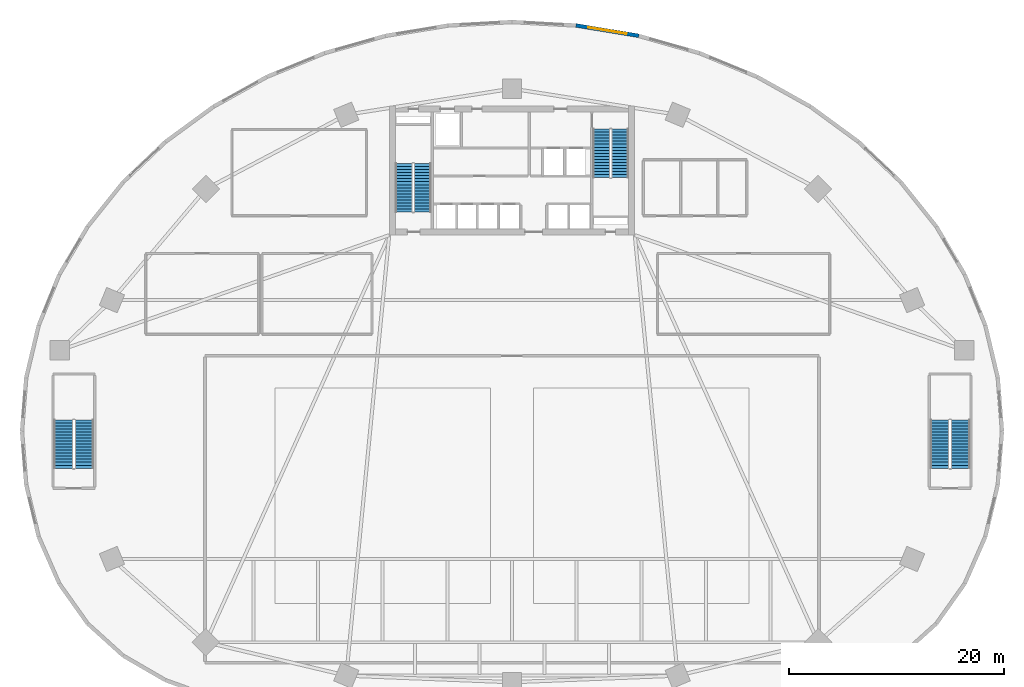
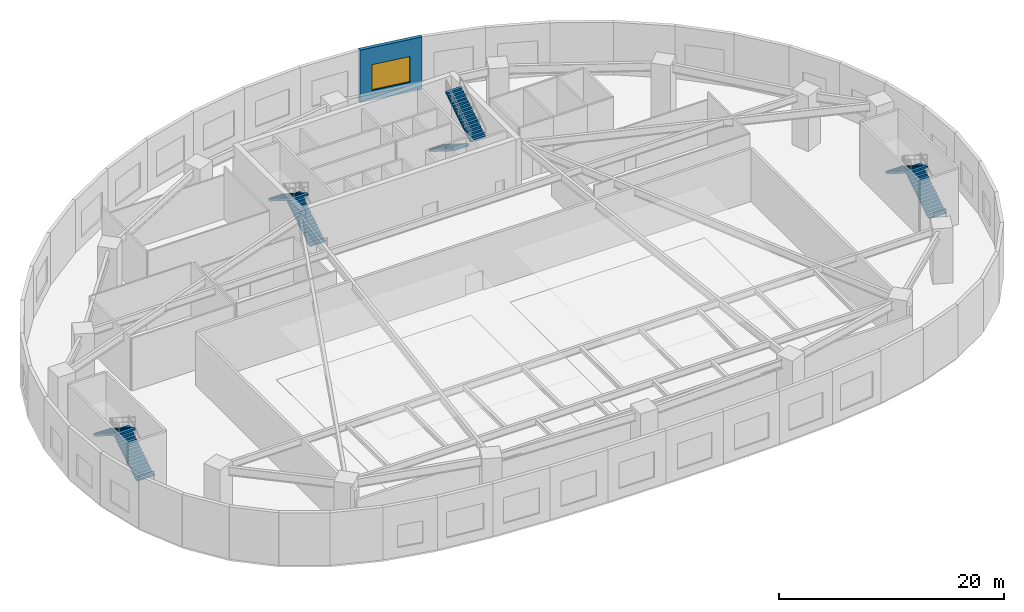
# One storey, part 6 of 10: 8 stair flights, 1 wall, 1 window, 1 opening, 4 elements without a shape of their own.
"""IFC4 building model written with IfcOpenShell, lengths in metres."""

from ifc_helpers import new_model, si_unit, direction, frame, frame_2d, origin, place, context, subcontext, project, spatial, polyline, rectangle, outline, extrude, source, transform, mapped, material, layer, layer_set, type_object, type_shapes, element, fill, aggregate, save


model = new_model("IFC4")

# Units and contexts
model_context = context("Model", 3, precision=1e-05, world=origin(), true_north=direction((0.0, 1.0)))
body_context = subcontext(model_context, "Body", "Model", "MODEL_VIEW")
ifc_project = project(units=[si_unit("LENGTHUNIT", "METRE"), si_unit("AREAUNIT", "SQUARE_METRE"), si_unit("VOLUMEUNIT", "CUBIC_METRE"), si_unit("PLANEANGLEUNIT", "RADIAN"), si_unit("MASSUNIT", "GRAM", prefix="KILO")], contexts=[model_context])

# Site, building, storey
site_placement = place(None, origin())
site = spatial("IfcSite", under=ifc_project, at=site_placement, CompositionType="ELEMENT")
building_placement = place(site_placement, origin())
building = spatial("IfcBuilding", under=site, at=building_placement, Name="Breltana Convention Tower", CompositionType="ELEMENT")
storey_placement = place(building_placement, frame((0.0, 0.0, 12.0)))
storey = spatial("IfcBuildingStorey", under=building, at=storey_placement, Name="L02", CompositionType="ELEMENT", Elevation=12.0)

# Wall, opening, window
ifc_material_1 = material(Name="Limestone Buff Insulated Wall", Category="masonry")
ifc_layer = layer(ifc_material_1, 0.35009765625, Name="Limestone Buff Insulated Wall")
ifc_layer_set = layer_set([ifc_layer], Name="Limestone Buff Insulated Wall")
wall_type = type_object("IfcWallType", Name="WL-EXT-POD-350", PredefinedType="SOLIDWALL", material=ifc_layer_set)
shared_shape_1 = source(origin(), body_context, "Body", "SweptSolid", [
    extrude(rectangle(XDim=5.91748046875, YDim=0.35009765625, at=frame_2d((2.958740234375, 0.0))), origin(), (0.0, 0.0, 1.0), 5.699951171875),
])
wall_placement = place(storey_placement, frame((59.7763671875, 78.705078125, 0.0), z_axis=(0.0, 0.0, 1.0), x_axis=(-0.986480762285, 0.163877105303, 0.0)))
wall = element("IfcWall", 1, at=wall_placement, inside=storey, type_object=wall_type, Name="L02 limestone facade wall 11", PredefinedType="SOLIDWALL", context=body_context, shape_type="MappedRepresentation", body=[
    mapped(shared_shape_1, transform((0.0, 0.0, 0.0), scale=1.0)),
])
opening_placement = place(wall_placement, frame((1.15869140625, 0.0, 1.050048828125)))
opening = element("IfcOpeningElement", 2, at=opening_placement, cuts=wall, Name="Opening W-01", PredefinedType="OPENING", context=body_context, shape_type="SweptSolid", body=[
    extrude(rectangle(XDim=3.60009765625, YDim=2.800048828125, at=frame_2d((1.800048828125, 1.39990234375))), frame((0.0, 0.18505859375, 0.0), z_axis=(0.0, -1.0, 0.0), x_axis=(1.0, 0.0, 0.0)), (0.0, 0.0, 1.0), 0.3701171875),
])
ifc_material_2 = material(Name="Glass Low-E Insulated Window", Category="glass")
window_type = type_object("IfcWindowType", Name="WN-POD-3600X2800", PartitioningType="TRIPLE_PANEL_VERTICAL", PredefinedType="WINDOW", material=ifc_material_2)
shared_shape_2 = source(origin(), body_context, "Body", "SweptSolid", [
    extrude(rectangle(XDim=3.60009765625, YDim=2.800048828125, at=frame_2d((1.800048828125, 1.39990234375))), frame((0.0, 0.030029296875, 0.0), z_axis=(0.0, -1.0, 0.0), x_axis=(1.0, 0.0, 0.0)), (0.0, 0.0, 1.0), 0.06005859375),
])
type_shapes(window_type, [shared_shape_2])
window_placement = place(opening_placement, origin())
window = element("IfcWindow", 3, at=window_placement, inside=storey, type_object=window_type, Name="L02 tripartite window 11.1", OverallHeight=2.800048828125, OverallWidth=3.60009765625, PartitioningType="TRIPLE_PANEL_VERTICAL", PredefinedType="WINDOW", context=body_context, shape_type="MappedRepresentation", body=[
    mapped(shared_shape_2, transform((0.0, 0.0, 0.0), scale=1.0)),
])
fill(opening, window)

# Stair, stair flights
ifc_material_3 = material(Name="Concrete C40/50", Category="concrete")
stair_type_1 = type_object("IfcStairType", Name="ST-DOG-1560-R176", PredefinedType="HALF_TURN_STAIR", material=ifc_material_3)
stair_1_placement = place(storey_placement, origin())
stair_1 = element("IfcStair", 4, at=stair_1_placement, inside=storey, type_object=stair_type_1, Name="L02 Protected Core Exit Stair ST-1", PredefinedType="HALF_TURN_STAIR")
stair_flight_type_1 = type_object("IfcStairFlightType", Name="STF-DOG-1560-N17-R176", PredefinedType="STRAIGHT", material=ifc_material_3)
stair_flight_1_placement = place(storey_placement, frame((39.68994140625, 62.360107421875, 0.0), z_axis=(0.0, 0.0, 1.0), x_axis=(0.0, 1.0, 0.0)))
stair_flight_1 = element("IfcStairFlight", 5, at=stair_flight_1_placement, type_object=stair_flight_type_1, Name="ST-1 flight 1", NumberOfRisers=17, NumberOfTreads=16, PredefinedType="STRAIGHT", RiserHeight=0.176470588, TreadLength=0.28, context=body_context, shape_type="SweptSolid", body=[
    extrude(outline(polyline([(0.0, 0.0), (0.0, 0.176513671875), (0.280029296875, 0.176513671875), (0.280029296875, 0.35302734375), (0.56005859375, 0.35302734375), (0.56005859375, 0.529296875), (0.840087890625, 0.529296875), (0.840087890625, 0.705810546875), (1.1201171875, 0.705810546875), (1.1201171875, 0.88232421875), (1.39990234375, 0.88232421875), (1.39990234375, 1.058837890625), (1.679931640625, 1.058837890625), (1.679931640625, 1.2353515625), (1.9599609375, 1.2353515625), (1.9599609375, 1.411865234375), (2.239990234375, 1.411865234375), (2.239990234375, 1.588134765625), (2.52001953125, 1.588134765625), (2.52001953125, 1.7646484375), (2.800048828125, 1.7646484375), (2.800048828125, 1.941162109375), (3.080078125, 1.941162109375), (3.080078125, 2.11767578125), (3.360107421875, 2.11767578125), (3.360107421875, 2.294189453125), (3.639892578125, 2.294189453125), (3.639892578125, 2.470703125), (3.919921875, 2.470703125), (3.919921875, 2.64697265625), (4.199951171875, 2.64697265625), (4.199951171875, 2.823486328125), (4.47998046875, 2.823486328125), (4.47998046875, 3.0), (4.47998046875, 2.646240234375), (0.28125, 0.0), (0.0, 0.0)])), frame((0.0, 0.780029296875, 0.0), z_axis=(0.0, -1.0, 0.0), x_axis=(1.0, 0.0, 0.0)), (0.0, 0.0, 1.0), 1.56005859375),
])
stair_flight_2_placement = place(storey_placement, frame((37.97998046875, 66.840087890625, 3.0), z_axis=(0.0, 0.0, 1.0), x_axis=(0.0, -1.0, 0.0)))
stair_flight_2 = element("IfcStairFlight", 6, at=stair_flight_2_placement, type_object=stair_flight_type_1, Name="ST-1 flight 2", NumberOfRisers=17, NumberOfTreads=16, PredefinedType="STRAIGHT", RiserHeight=0.176470588, TreadLength=0.28, context=body_context, shape_type="SweptSolid", body=[
    extrude(outline(polyline([(0.0, 0.0), (0.0, 0.176513671875), (0.280029296875, 0.176513671875), (0.280029296875, 0.35302734375), (0.56005859375, 0.35302734375), (0.56005859375, 0.529296875), (0.840087890625, 0.529296875), (0.840087890625, 0.705810546875), (1.1201171875, 0.705810546875), (1.1201171875, 0.88232421875), (1.39990234375, 0.88232421875), (1.39990234375, 1.058837890625), (1.679931640625, 1.058837890625), (1.679931640625, 1.2353515625), (1.9599609375, 1.2353515625), (1.9599609375, 1.411865234375), (2.239990234375, 1.411865234375), (2.239990234375, 1.588134765625), (2.52001953125, 1.588134765625), (2.52001953125, 1.7646484375), (2.800048828125, 1.7646484375), (2.800048828125, 1.941162109375), (3.080078125, 1.941162109375), (3.080078125, 2.11767578125), (3.360107421875, 2.11767578125), (3.360107421875, 2.294189453125), (3.639892578125, 2.294189453125), (3.639892578125, 2.470703125), (3.919921875, 2.470703125), (3.919921875, 2.64697265625), (4.199951171875, 2.64697265625), (4.199951171875, 2.823486328125), (4.47998046875, 2.823486328125), (4.47998046875, 3.0), (4.47998046875, 2.646240234375), (0.28125, 0.0), (0.0, 0.0)])), frame((0.0, 0.780029296875, 0.0), z_axis=(0.0, -1.0, 0.0), x_axis=(1.0, 0.0, 0.0)), (0.0, 0.0, 1.0), 1.56005859375),
])
aggregate(stair_1, [stair_flight_1, stair_flight_2])

stair_2_placement = place(storey_placement, origin())
stair_2 = element("IfcStair", 7, at=stair_2_placement, inside=storey, type_object=stair_type_1, Name="L02 Protected Core Exit Stair ST-2", PredefinedType="HALF_TURN_STAIR")
stair_flight_3_placement = place(storey_placement, frame((56.31005859375, 70.0400390625, 0.0), z_axis=(0.0, 0.0, 1.0), x_axis=(0.0, -1.0, 0.0)))
stair_flight_3 = element("IfcStairFlight", 8, at=stair_flight_3_placement, type_object=stair_flight_type_1, Name="ST-2 flight 1", NumberOfRisers=17, NumberOfTreads=16, PredefinedType="STRAIGHT", RiserHeight=0.176470588, TreadLength=0.28, context=body_context, shape_type="SweptSolid", body=[
    extrude(outline(polyline([(0.0, 0.0), (0.0, 0.176513671875), (0.280029296875, 0.176513671875), (0.280029296875, 0.35302734375), (0.56005859375, 0.35302734375), (0.56005859375, 0.529296875), (0.840087890625, 0.529296875), (0.840087890625, 0.705810546875), (1.1201171875, 0.705810546875), (1.1201171875, 0.88232421875), (1.39990234375, 0.88232421875), (1.39990234375, 1.058837890625), (1.679931640625, 1.058837890625), (1.679931640625, 1.2353515625), (1.9599609375, 1.2353515625), (1.9599609375, 1.411865234375), (2.239990234375, 1.411865234375), (2.239990234375, 1.588134765625), (2.52001953125, 1.588134765625), (2.52001953125, 1.7646484375), (2.800048828125, 1.7646484375), (2.800048828125, 1.941162109375), (3.080078125, 1.941162109375), (3.080078125, 2.11767578125), (3.360107421875, 2.11767578125), (3.360107421875, 2.294189453125), (3.639892578125, 2.294189453125), (3.639892578125, 2.470703125), (3.919921875, 2.470703125), (3.919921875, 2.64697265625), (4.199951171875, 2.64697265625), (4.199951171875, 2.823486328125), (4.47998046875, 2.823486328125), (4.47998046875, 3.0), (4.47998046875, 2.646240234375), (0.28125, 0.0), (0.0, 0.0)])), frame((0.0, 0.780029296875, 0.0), z_axis=(0.0, -1.0, 0.0), x_axis=(1.0, 0.0, 0.0)), (0.0, 0.0, 1.0), 1.56005859375),
])
stair_flight_4_placement = place(storey_placement, frame((58.02001953125, 65.56005859375, 3.0), z_axis=(0.0, 0.0, 1.0), x_axis=(0.0, 1.0, 0.0)))
stair_flight_4 = element("IfcStairFlight", 9, at=stair_flight_4_placement, type_object=stair_flight_type_1, Name="ST-2 flight 2", NumberOfRisers=17, NumberOfTreads=16, PredefinedType="STRAIGHT", RiserHeight=0.176470588, TreadLength=0.28, context=body_context, shape_type="SweptSolid", body=[
    extrude(outline(polyline([(0.0, 0.0), (0.0, 0.176513671875), (0.280029296875, 0.176513671875), (0.280029296875, 0.35302734375), (0.56005859375, 0.35302734375), (0.56005859375, 0.529296875), (0.840087890625, 0.529296875), (0.840087890625, 0.705810546875), (1.1201171875, 0.705810546875), (1.1201171875, 0.88232421875), (1.39990234375, 0.88232421875), (1.39990234375, 1.058837890625), (1.679931640625, 1.058837890625), (1.679931640625, 1.2353515625), (1.9599609375, 1.2353515625), (1.9599609375, 1.411865234375), (2.239990234375, 1.411865234375), (2.239990234375, 1.588134765625), (2.52001953125, 1.588134765625), (2.52001953125, 1.7646484375), (2.800048828125, 1.7646484375), (2.800048828125, 1.941162109375), (3.080078125, 1.941162109375), (3.080078125, 2.11767578125), (3.360107421875, 2.11767578125), (3.360107421875, 2.294189453125), (3.639892578125, 2.294189453125), (3.639892578125, 2.470703125), (3.919921875, 2.470703125), (3.919921875, 2.64697265625), (4.199951171875, 2.64697265625), (4.199951171875, 2.823486328125), (4.47998046875, 2.823486328125), (4.47998046875, 3.0), (4.47998046875, 2.646240234375), (0.28125, 0.0), (0.0, 0.0)])), frame((0.0, 0.780029296875, 0.0), z_axis=(0.0, -1.0, 0.0), x_axis=(1.0, 0.0, 0.0)), (0.0, 0.0, 1.0), 1.56005859375),
])
aggregate(stair_2, [stair_flight_3, stair_flight_4])

stair_type_2 = type_object("IfcStairType", Name="ST-DOG-1760-R176", PredefinedType="HALF_TURN_STAIR", material=ifc_material_3)
stair_3_placement = place(storey_placement, origin())
stair_3 = element("IfcStair", 10, at=stair_3_placement, inside=storey, type_object=stair_type_2, Name="L02 Protected Podium Exit Stair ST-3", PredefinedType="HALF_TURN_STAIR")
stair_flight_type_2 = type_object("IfcStairFlightType", Name="STF-DOG-1760-N17-R176", PredefinedType="STRAIGHT", material=ifc_material_3)
stair_flight_5_placement = place(storey_placement, frame((8.2900390625, 38.56005859375, 0.0), z_axis=(0.0, 0.0, 1.0), x_axis=(0.0, 1.0, 0.0)))
stair_flight_5 = element("IfcStairFlight", 11, at=stair_flight_5_placement, type_object=stair_flight_type_2, Name="ST-3 flight 1", NumberOfRisers=17, NumberOfTreads=16, PredefinedType="STRAIGHT", RiserHeight=0.176470588, TreadLength=0.28, context=body_context, shape_type="SweptSolid", body=[
    extrude(outline(polyline([(0.0, 0.0), (0.0, 0.176513671875), (0.280029296875, 0.176513671875), (0.280029296875, 0.35302734375), (0.56005859375, 0.35302734375), (0.56005859375, 0.529296875), (0.840087890625, 0.529296875), (0.840087890625, 0.705810546875), (1.1201171875, 0.705810546875), (1.1201171875, 0.88232421875), (1.39990234375, 0.88232421875), (1.39990234375, 1.058837890625), (1.679931640625, 1.058837890625), (1.679931640625, 1.2353515625), (1.9599609375, 1.2353515625), (1.9599609375, 1.411865234375), (2.239990234375, 1.411865234375), (2.239990234375, 1.588134765625), (2.52001953125, 1.588134765625), (2.52001953125, 1.7646484375), (2.800048828125, 1.7646484375), (2.800048828125, 1.941162109375), (3.080078125, 1.941162109375), (3.080078125, 2.11767578125), (3.360107421875, 2.11767578125), (3.360107421875, 2.294189453125), (3.639892578125, 2.294189453125), (3.639892578125, 2.470703125), (3.919921875, 2.470703125), (3.919921875, 2.64697265625), (4.199951171875, 2.64697265625), (4.199951171875, 2.823486328125), (4.47998046875, 2.823486328125), (4.47998046875, 3.0), (4.47998046875, 2.646240234375), (0.28125, 0.0), (0.0, 0.0)])), frame((0.0, 0.8798828125, 0.0), z_axis=(0.0, -1.0, 0.0), x_axis=(1.0, 0.0, 0.0)), (0.0, 0.0, 1.0), 1.760009765625),
])
stair_flight_6_placement = place(storey_placement, frame((6.3798828125, 43.0400390625, 3.0), z_axis=(0.0, 0.0, 1.0), x_axis=(0.0, -1.0, 0.0)))
stair_flight_6 = element("IfcStairFlight", 12, at=stair_flight_6_placement, type_object=stair_flight_type_2, Name="ST-3 flight 2", NumberOfRisers=17, NumberOfTreads=16, PredefinedType="STRAIGHT", RiserHeight=0.176470588, TreadLength=0.28, context=body_context, shape_type="SweptSolid", body=[
    extrude(outline(polyline([(0.0, 0.0), (0.0, 0.176513671875), (0.280029296875, 0.176513671875), (0.280029296875, 0.35302734375), (0.56005859375, 0.35302734375), (0.56005859375, 0.529296875), (0.840087890625, 0.529296875), (0.840087890625, 0.705810546875), (1.1201171875, 0.705810546875), (1.1201171875, 0.88232421875), (1.39990234375, 0.88232421875), (1.39990234375, 1.058837890625), (1.679931640625, 1.058837890625), (1.679931640625, 1.2353515625), (1.9599609375, 1.2353515625), (1.9599609375, 1.411865234375), (2.239990234375, 1.411865234375), (2.239990234375, 1.588134765625), (2.52001953125, 1.588134765625), (2.52001953125, 1.7646484375), (2.800048828125, 1.7646484375), (2.800048828125, 1.941162109375), (3.080078125, 1.941162109375), (3.080078125, 2.11767578125), (3.360107421875, 2.11767578125), (3.360107421875, 2.294189453125), (3.639892578125, 2.294189453125), (3.639892578125, 2.470703125), (3.919921875, 2.470703125), (3.919921875, 2.64697265625), (4.199951171875, 2.64697265625), (4.199951171875, 2.823486328125), (4.47998046875, 2.823486328125), (4.47998046875, 3.0), (4.47998046875, 2.646240234375), (0.28125, 0.0), (0.0, 0.0)])), frame((0.0, 0.8798828125, 0.0), z_axis=(0.0, -1.0, 0.0), x_axis=(1.0, 0.0, 0.0)), (0.0, 0.0, 1.0), 1.760009765625),
])
aggregate(stair_3, [stair_flight_5, stair_flight_6])

stair_4_placement = place(storey_placement, origin())
stair_4 = element("IfcStair", 13, at=stair_4_placement, inside=storey, type_object=stair_type_2, Name="L02 Protected Podium Exit Stair ST-4", PredefinedType="HALF_TURN_STAIR")
stair_flight_7_placement = place(storey_placement, frame((89.6201171875, 38.56005859375, 0.0), z_axis=(0.0, 0.0, 1.0), x_axis=(0.0, 1.0, 0.0)))
stair_flight_7 = element("IfcStairFlight", 14, at=stair_flight_7_placement, type_object=stair_flight_type_2, Name="ST-4 flight 1", NumberOfRisers=17, NumberOfTreads=16, PredefinedType="STRAIGHT", RiserHeight=0.176470588, TreadLength=0.28, context=body_context, shape_type="SweptSolid", body=[
    extrude(outline(polyline([(0.0, 0.0), (0.0, 0.176513671875), (0.280029296875, 0.176513671875), (0.280029296875, 0.35302734375), (0.56005859375, 0.35302734375), (0.56005859375, 0.529296875), (0.840087890625, 0.529296875), (0.840087890625, 0.705810546875), (1.1201171875, 0.705810546875), (1.1201171875, 0.88232421875), (1.39990234375, 0.88232421875), (1.39990234375, 1.058837890625), (1.679931640625, 1.058837890625), (1.679931640625, 1.2353515625), (1.9599609375, 1.2353515625), (1.9599609375, 1.411865234375), (2.239990234375, 1.411865234375), (2.239990234375, 1.588134765625), (2.52001953125, 1.588134765625), (2.52001953125, 1.7646484375), (2.800048828125, 1.7646484375), (2.800048828125, 1.941162109375), (3.080078125, 1.941162109375), (3.080078125, 2.11767578125), (3.360107421875, 2.11767578125), (3.360107421875, 2.294189453125), (3.639892578125, 2.294189453125), (3.639892578125, 2.470703125), (3.919921875, 2.470703125), (3.919921875, 2.64697265625), (4.199951171875, 2.64697265625), (4.199951171875, 2.823486328125), (4.47998046875, 2.823486328125), (4.47998046875, 3.0), (4.47998046875, 2.646240234375), (0.28125, 0.0), (0.0, 0.0)])), frame((0.0, 0.8798828125, 0.0), z_axis=(0.0, -1.0, 0.0), x_axis=(1.0, 0.0, 0.0)), (0.0, 0.0, 1.0), 1.760009765625),
])
stair_flight_8_placement = place(storey_placement, frame((87.7099609375, 43.0400390625, 3.0), z_axis=(0.0, 0.0, 1.0), x_axis=(0.0, -1.0, 0.0)))
stair_flight_8 = element("IfcStairFlight", 15, at=stair_flight_8_placement, type_object=stair_flight_type_2, Name="ST-4 flight 2", NumberOfRisers=17, NumberOfTreads=16, PredefinedType="STRAIGHT", RiserHeight=0.176470588, TreadLength=0.28, context=body_context, shape_type="SweptSolid", body=[
    extrude(outline(polyline([(0.0, 0.0), (0.0, 0.176513671875), (0.280029296875, 0.176513671875), (0.280029296875, 0.35302734375), (0.56005859375, 0.35302734375), (0.56005859375, 0.529296875), (0.840087890625, 0.529296875), (0.840087890625, 0.705810546875), (1.1201171875, 0.705810546875), (1.1201171875, 0.88232421875), (1.39990234375, 0.88232421875), (1.39990234375, 1.058837890625), (1.679931640625, 1.058837890625), (1.679931640625, 1.2353515625), (1.9599609375, 1.2353515625), (1.9599609375, 1.411865234375), (2.239990234375, 1.411865234375), (2.239990234375, 1.588134765625), (2.52001953125, 1.588134765625), (2.52001953125, 1.7646484375), (2.800048828125, 1.7646484375), (2.800048828125, 1.941162109375), (3.080078125, 1.941162109375), (3.080078125, 2.11767578125), (3.360107421875, 2.11767578125), (3.360107421875, 2.294189453125), (3.639892578125, 2.294189453125), (3.639892578125, 2.470703125), (3.919921875, 2.470703125), (3.919921875, 2.64697265625), (4.199951171875, 2.64697265625), (4.199951171875, 2.823486328125), (4.47998046875, 2.823486328125), (4.47998046875, 3.0), (4.47998046875, 2.646240234375), (0.28125, 0.0), (0.0, 0.0)])), frame((0.0, 0.8798828125, 0.0), z_axis=(0.0, -1.0, 0.0), x_axis=(1.0, 0.0, 0.0)), (0.0, 0.0, 1.0), 1.760009765625),
])
aggregate(stair_4, [stair_flight_7, stair_flight_8])

save(model, "model.ifc")
